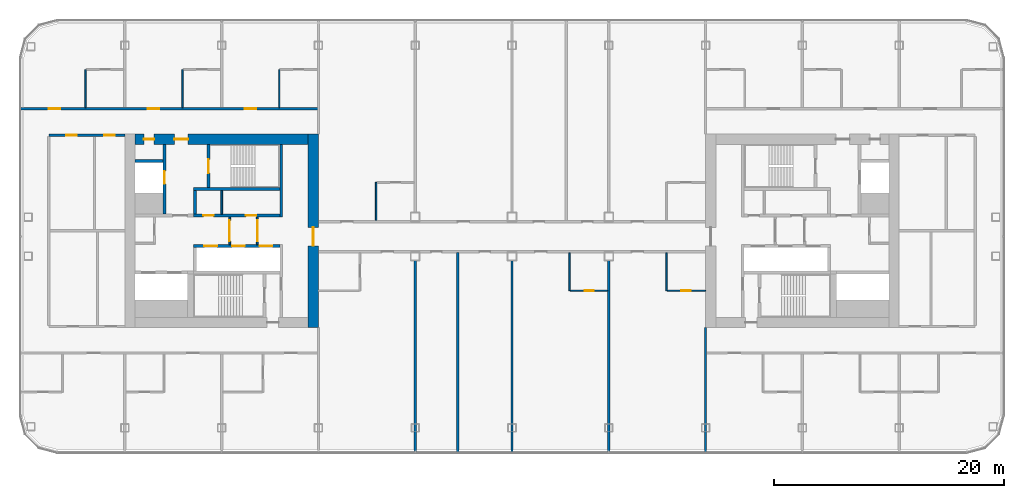
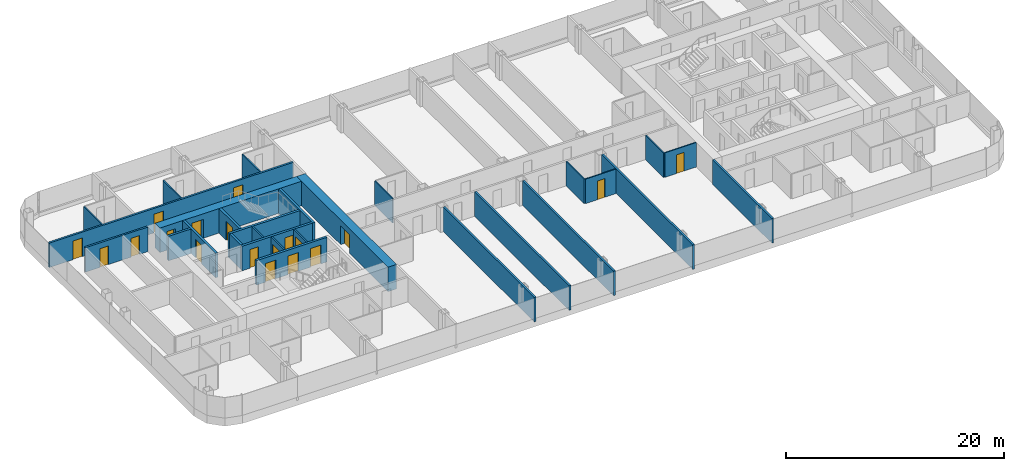
# One storey, part 13 of 25: 28 walls, 19 doors, 19 openings.
"""IFC4 building model written with IfcOpenShell, lengths in metres."""

from ifc_helpers import new_model, si_unit, direction, frame, frame_2d, origin, place, context, subcontext, project, spatial, rectangle, extrude, material, layer, layer_set, type_object, element, fill, save


model = new_model("IFC4")

# Units and contexts
model_context = context("Model", 3, precision=1e-05, world=origin(), true_north=direction((0.0, 1.0)))
body_context = subcontext(model_context, "Body", "Model", "MODEL_VIEW")
ifc_project = project(units=[si_unit("LENGTHUNIT", "METRE"), si_unit("AREAUNIT", "SQUARE_METRE"), si_unit("VOLUMEUNIT", "CUBIC_METRE"), si_unit("PLANEANGLEUNIT", "RADIAN"), si_unit("MASSUNIT", "GRAM", prefix="KILO")], contexts=[model_context])

# Site, building, storey
site_placement = place(None, origin())
site = spatial("IfcSite", under=ifc_project, at=site_placement, CompositionType="ELEMENT")
building_placement = place(site_placement, origin())
building = spatial("IfcBuilding", under=site, at=building_placement, Name="Hakoniwa Tower and Hamabe Station Hall", CompositionType="ELEMENT")
storey_placement = place(building_placement, frame((0.0, 0.0, 147.0)))
storey = spatial("IfcBuildingStorey", under=building, at=storey_placement, Name="L41", CompositionType="ELEMENT", Elevation=147.0)

# Wall, opening, door
ifc_material_1 = material(Name="Gypsum board partition", Category="gypsum")
ifc_layer_1 = layer(ifc_material_1, 0.125)
ifc_layer_set_1 = layer_set([ifc_layer_1], Name="Bathroom Partition 125")
wall_type_1 = type_object("IfcWallType", Name="Bathroom Partition 125", PredefinedType="PARTITIONING", material=ifc_layer_set_1)
wall_1_placement = place(storey_placement, frame((5.0625, -5.199951171875, 0.0), z_axis=(0.0, 0.0, 1.0), x_axis=(1.0, 0.0, 0.0)))
wall_1 = element("IfcWall", 1, at=wall_1_placement, inside=storey, type_object=wall_type_1, Name="GW-L41-011", PredefinedType="PARTITIONING", context=body_context, shape_type="SweptSolid", body=[
    extrude(rectangle(XDim=3.237548828125, YDim=0.125, at=frame_2d((1.61865234375, 0.0))), origin(), (0.0, 0.0, 1.0), 2.75),
])
opening_1_placement = place(wall_1_placement, frame((1.237548828125, 0.0, 0.0)))
opening_1 = element("IfcOpeningElement", 2, at=opening_1_placement, cuts=wall_1, Name="Opening GD-G3A1-16", PredefinedType="OPENING", context=body_context, shape_type="SweptSolid", body=[
    extrude(rectangle(XDim=0.800048828125, YDim=2.10009765625, at=frame_2d((0.39990234375, 1.050048828125))), frame((0.0, 0.072509765625, 0.0), z_axis=(0.0, -1.0, 0.0), x_axis=(1.0, 0.0, 0.0)), (0.0, 0.0, 1.0), 0.14501953125),
])
ifc_material_2 = material(Name="Timber door leaf", Category="wood")
door_type_1 = type_object("IfcDoorType", Name="Bathroom Door 800", OperationType="SINGLE_SWING_LEFT", PredefinedType="DOOR", material=ifc_material_2)
door_1_placement = place(opening_1_placement, origin())
door_1 = element("IfcDoor", 3, at=door_1_placement, inside=storey, type_object=door_type_1, Name="Door GD-G3A1-16", OperationType="SINGLE_SWING_LEFT", OverallHeight=2.10009765625, OverallWidth=0.800048828125, PredefinedType="DOOR", context=body_context, shape_type="SweptSolid", body=[
    extrude(rectangle(XDim=0.800048828125, YDim=2.10009765625, at=frame_2d((0.39990234375, 1.050048828125))), frame((0.0, 0.02490234375, 0.0), z_axis=(0.0, -1.0, 0.0), x_axis=(1.0, 0.0, 0.0)), (0.0, 0.0, 1.0), 0.050048828125),
])
fill(opening_1, door_1)

wall_2_placement = place(storey_placement, frame((13.46240234375, -5.199951171875, 0.0), z_axis=(0.0, 0.0, 1.0), x_axis=(1.0, 0.0, 0.0)))
wall_2 = element("IfcWall", 4, at=wall_2_placement, inside=storey, type_object=wall_type_1, Name="GW-L41-012", PredefinedType="PARTITIONING", context=body_context, shape_type="SweptSolid", body=[
    extrude(rectangle(XDim=3.34765625, YDim=0.125, at=frame_2d((1.673828125, 0.0))), origin(), (0.0, 0.0, 1.0), 2.75),
])
opening_2_placement = place(wall_2_placement, frame((1.237548828125, 0.0, 0.0)))
opening_2 = element("IfcOpeningElement", 5, at=opening_2_placement, cuts=wall_2, Name="Opening GD-G3A1-17", PredefinedType="OPENING", context=body_context, shape_type="SweptSolid", body=[
    extrude(rectangle(XDim=0.800048828125, YDim=2.10009765625, at=frame_2d((0.39990234375, 1.050048828125))), frame((0.0, 0.072509765625, 0.0), z_axis=(0.0, -1.0, 0.0), x_axis=(1.0, 0.0, 0.0)), (0.0, 0.0, 1.0), 0.14501953125),
])
door_2_placement = place(opening_2_placement, origin())
door_2 = element("IfcDoor", 6, at=door_2_placement, inside=storey, type_object=door_type_1, Name="Door GD-G3A1-17", OperationType="SINGLE_SWING_RIGHT", OverallHeight=2.10009765625, OverallWidth=0.800048828125, PredefinedType="DOOR", context=body_context, shape_type="SweptSolid", body=[
    extrude(rectangle(XDim=0.800048828125, YDim=2.10009765625, at=frame_2d((0.39990234375, 1.050048828125))), frame((0.0, 0.02490234375, 0.0), z_axis=(0.0, -1.0, 0.0), x_axis=(1.0, 0.0, 0.0)), (0.0, 0.0, 1.0), 0.050048828125),
])
fill(opening_2, door_2)

# Walls
for number, where, z_axis, x_axis, name in (
    (7, (-37.0, 10.699951171875, 0.0), (0.0, 0.0, 1.0), (0.0, 1.0, 0.0), "GW-L41-031"),
    (8, (-28.60009765625, 10.699951171875, 0.0), (0.0, 0.0, 1.0), (0.0, 1.0, 0.0), "GW-L41-037"),
    (9, (-20.199951171875, 10.699951171875, 0.0), (0.0, 0.0, 1.0), (0.0, 1.0, 0.0), "GW-L41-041"),
    (10, (-11.800048828125, 0.89990234375, 0.0), (0.0, 0.0, 1.0), (0.0, 1.0, 0.0), "GW-L41-045"),
    (11, (5.0, -5.199951171875, 0.0), (0.0, 0.0, 1.0), (0.0, 1.0, 0.0), "GW-L41-052"),
    (12, (13.39990234375, -5.199951171875, 0.0), (0.0, 0.0, 1.0), (0.0, 1.0, 0.0), "GW-L41-055"),
):
    element("IfcWall", number, at=place(storey_placement, frame(where, z_axis=z_axis, x_axis=x_axis)), inside=storey, type_object=wall_type_1, Name=name, PredefinedType="PARTITIONING", context=body_context, shape_type="SweptSolid", body=[
        extrude(rectangle(XDim=3.300048828125, YDim=0.125, at=frame_2d((1.64990234375, 0.0))), origin(), (0.0, 0.0, 1.0), 2.75),
    ])

# Wall, opening, door
ifc_material_3 = material(Name="Gypsum board partition")
ifc_layer_2 = layer(ifc_material_3, 0.14990234375)
ifc_layer_set_2 = layer_set([ifc_layer_2], Name="CORE PARTITION 150 EI 60")
wall_type_2 = type_object("IfcWallType", Name="CORE PARTITION 150 EI 60", PredefinedType="PARTITIONING", material=ifc_layer_set_2)
wall_3_placement = place(storey_placement, frame((-22.10009765625, -1.199951171875, 0.0), z_axis=(0.0, 0.0, 1.0), x_axis=(0.0, 1.0, 0.0)))
wall_3 = element("IfcWall", 13, at=wall_3_placement, inside=storey, type_object=wall_type_2, Name="Core partition PL0 west", PredefinedType="PARTITIONING", context=body_context, shape_type="SweptSolid", body=[
    extrude(rectangle(XDim=2.39990234375, YDim=0.14990234375, at=frame_2d((1.199951171875, 0.0))), origin(), (0.0, 0.0, 1.0), 2.75),
])
opening_3_placement = place(wall_3_placement, frame((0.300048828125, 0.0, 0.0)))
opening_3 = element("IfcOpeningElement", 14, at=opening_3_placement, cuts=wall_3, Name="Opening CD-W-LP0-18", PredefinedType="OPENING", context=body_context, shape_type="SweptSolid", body=[
    extrude(rectangle(XDim=1.800048828125, YDim=2.10009765625, at=frame_2d((0.89990234375, 1.050048828125))), frame((0.0, 0.0849609375, 0.0), z_axis=(0.0, -1.0, 0.0), x_axis=(1.0, 0.0, 0.0)), (0.0, 0.0, 1.0), 0.169921875),
])
ifc_material_4 = material(Name="Steel fire door", Category="steel")
door_type_2 = type_object("IfcDoorType", Name="CORE DOOR 1800 FD60", OperationType="DOUBLE_DOOR_SINGLE_SWING", PredefinedType="DOOR", material=ifc_material_4)
door_3_placement = place(opening_3_placement, origin())
door_3 = element("IfcDoor", 15, at=door_3_placement, inside=storey, type_object=door_type_2, Name="Lift lobby partition door", OperationType="DOUBLE_DOOR_SINGLE_SWING", OverallHeight=2.10009765625, OverallWidth=1.800048828125, PredefinedType="DOOR", context=body_context, shape_type="SweptSolid", body=[
    extrude(rectangle(XDim=1.800048828125, YDim=2.10009765625, at=frame_2d((0.89990234375, 1.050048828125))), frame((0.0, 0.02490234375, 0.0), z_axis=(0.0, -1.0, 0.0), x_axis=(1.0, 0.0, 0.0)), (0.0, 0.0, 1.0), 0.050048828125),
])
fill(opening_3, door_3)

wall_4_placement = place(storey_placement, frame((-24.5, -1.199951171875, 0.0), z_axis=(0.0, 0.0, 1.0), x_axis=(0.0, 1.0, 0.0)))
wall_4 = element("IfcWall", 16, at=wall_4_placement, inside=storey, type_object=wall_type_2, Name="Core partition PL1 west", PredefinedType="PARTITIONING", context=body_context, shape_type="SweptSolid", body=[
    extrude(rectangle(XDim=2.39990234375, YDim=0.14990234375, at=frame_2d((1.199951171875, 0.0))), origin(), (0.0, 0.0, 1.0), 2.75),
])
opening_4_placement = place(wall_4_placement, frame((0.300048828125, 0.0, 0.0)))
opening_4 = element("IfcOpeningElement", 17, at=opening_4_placement, cuts=wall_4, Name="Opening CD-W-LP1-18", PredefinedType="OPENING", context=body_context, shape_type="SweptSolid", body=[
    extrude(rectangle(XDim=1.800048828125, YDim=2.10009765625, at=frame_2d((0.89990234375, 1.050048828125))), frame((0.0, 0.0849609375, 0.0), z_axis=(0.0, -1.0, 0.0), x_axis=(1.0, 0.0, 0.0)), (0.0, 0.0, 1.0), 0.169921875),
])
door_4_placement = place(opening_4_placement, origin())
door_4 = element("IfcDoor", 18, at=door_4_placement, inside=storey, type_object=door_type_2, Name="Lift lobby partition door", OperationType="DOUBLE_DOOR_SINGLE_SWING", OverallHeight=2.10009765625, OverallWidth=1.800048828125, PredefinedType="DOOR", context=body_context, shape_type="SweptSolid", body=[
    extrude(rectangle(XDim=1.800048828125, YDim=2.10009765625, at=frame_2d((0.89990234375, 1.050048828125))), frame((0.0, 0.02490234375, 0.0), z_axis=(0.0, -1.0, 0.0), x_axis=(1.0, 0.0, 0.0)), (0.0, 0.0, 1.0), 0.050048828125),
])
fill(opening_4, door_4)

# Wall
wall_5_placement = place(storey_placement, frame((-25.199951171875, 1.449951171875, 0.0), z_axis=(0.0, 0.0, 1.0), x_axis=(0.0, 1.0, 0.0)))
element("IfcWall", 19, at=wall_5_placement, inside=storey, type_object=wall_type_2, Name="Core partition PFLR0 west", PredefinedType="PARTITIONING", context=body_context, shape_type="SweptSolid", body=[
    extrude(rectangle(XDim=2.050048828125, YDim=0.14990234375, at=frame_2d((1.02490234375, 0.0))), origin(), (0.0, 0.0, 1.0), 2.75),
])

# Wall, opening, door
ifc_material_5 = material(Name="Concrete C66", Category="concrete")
ifc_layer_3 = layer(ifc_material_5, 0.89990234375)
ifc_layer_set_3 = layer_set([ifc_layer_3], Name="CORE WALL 900 C66")
wall_type_3 = type_object("IfcWallType", Name="CORE WALL 900 C66", PredefinedType="SHEAR", material=ifc_layer_set_3)
wall_6_placement = place(storey_placement, frame((-17.25, -8.39990234375, 0.0), z_axis=(0.0, 0.0, 1.0), x_axis=(0.0, 1.0, 0.0)))
wall_6 = element("IfcWall", 20, at=wall_6_placement, inside=storey, type_object=wall_type_3, Name="Core wall INNER west", PredefinedType="SHEAR", context=body_context, shape_type="SweptSolid", body=[
    extrude(rectangle(XDim=16.7998046875, YDim=0.89990234375, at=frame_2d((8.39990234375, 0.0))), origin(), (0.0, 0.0, 1.0), 2.75),
])
opening_5_placement = place(wall_6_placement, frame((7.10009765625, 0.0, 0.0)))
opening_5 = element("IfcOpeningElement", 21, at=opening_5_placement, cuts=wall_6, Name="Opening CD-W-IN1-16", PredefinedType="OPENING", context=body_context, shape_type="SweptSolid", body=[
    extrude(rectangle(XDim=1.60009765625, YDim=2.10009765625, at=frame_2d((0.800048828125, 1.050048828125))), frame((0.0, 0.4599609375, 0.0), z_axis=(0.0, -1.0, 0.0), x_axis=(1.0, 0.0, 0.0)), (0.0, 0.0, 1.0), 0.919921875),
])
ifc_material_6 = material(Name="Steel fire door", Category="steel")
door_type_3 = type_object("IfcDoorType", Name="CORE DOOR 1600 FD60", OperationType="DOUBLE_DOOR_SINGLE_SWING", PredefinedType="DOOR", material=ifc_material_6)
door_5_placement = place(opening_5_placement, origin())
door_5 = element("IfcDoor", 22, at=door_5_placement, inside=storey, type_object=door_type_3, Name="Lift lobby door", OperationType="DOUBLE_DOOR_SINGLE_SWING", OverallHeight=2.10009765625, OverallWidth=1.60009765625, PredefinedType="DOOR", context=body_context, shape_type="SweptSolid", body=[
    extrude(rectangle(XDim=1.60009765625, YDim=2.10009765625, at=frame_2d((0.800048828125, 1.050048828125))), frame((0.0, 0.02490234375, 0.0), z_axis=(0.0, -1.0, 0.0), x_axis=(1.0, 0.0, 0.0)), (0.0, 0.0, 1.0), 0.050048828125),
])
fill(opening_5, door_5)

# Wall, openings, doors
wall_7_placement = place(storey_placement, frame((-32.699951171875, 7.949951171875, 0.0), z_axis=(0.0, 0.0, 1.0), x_axis=(1.0, 0.0, 0.0)))
wall_7 = element("IfcWall", 23, at=wall_7_placement, inside=storey, type_object=wall_type_3, Name="Core wall NORTH west", PredefinedType="SHEAR", context=body_context, shape_type="SweptSolid", body=[
    extrude(rectangle(XDim=15.0, YDim=0.89990234375, at=frame_2d((7.5, 0.0))), origin(), (0.0, 0.0, 1.0), 2.75),
])
opening_6_placement = place(wall_7_placement, frame((3.39990234375, 0.0, 0.0)))
opening_6 = element("IfcOpeningElement", 24, at=opening_6_placement, cuts=wall_7, Name="Opening CD-W-FN1-12", PredefinedType="OPENING", context=body_context, shape_type="SweptSolid", body=[
    extrude(rectangle(XDim=1.199951171875, YDim=2.10009765625, at=frame_2d((0.60009765625, 1.050048828125))), frame((0.0, 0.4599609375, 0.0), z_axis=(0.0, -1.0, 0.0), x_axis=(1.0, 0.0, 0.0)), (0.0, 0.0, 1.0), 0.919921875),
])
opening_7_placement = place(wall_7_placement, frame((0.75, 0.0, 0.0)))
opening_7 = element("IfcOpeningElement", 25, at=opening_7_placement, cuts=wall_7, Name="Opening CD-W-FN2-9", PredefinedType="OPENING", context=body_context, shape_type="SweptSolid", body=[
    extrude(rectangle(XDim=0.89990234375, YDim=2.10009765625, at=frame_2d((0.449951171875, 1.050048828125))), frame((0.0, 0.4599609375, 0.0), z_axis=(0.0, -1.0, 0.0), x_axis=(1.0, 0.0, 0.0)), (0.0, 0.0, 1.0), 0.919921875),
])
ifc_material_7 = material(Name="Steel fire door", Category="steel")
door_type_4 = type_object("IfcDoorType", Name="CORE DOOR 1200 FD60", OperationType="DOUBLE_DOOR_SINGLE_SWING", PredefinedType="DOOR", material=ifc_material_7)
door_6_placement = place(opening_6_placement, origin())
door_6 = element("IfcDoor", 26, at=door_6_placement, inside=storey, type_object=door_type_4, Name="Stair vestibule door to the fire-fighting lobby", OperationType="DOUBLE_DOOR_SINGLE_SWING", OverallHeight=2.10009765625, OverallWidth=1.199951171875, PredefinedType="DOOR", context=body_context, shape_type="SweptSolid", body=[
    extrude(rectangle(XDim=1.199951171875, YDim=2.10009765625, at=frame_2d((0.60009765625, 1.050048828125))), frame((0.0, 0.02490234375, 0.0), z_axis=(0.0, -1.0, 0.0), x_axis=(1.0, 0.0, 0.0)), (0.0, 0.0, 1.0), 0.050048828125),
])
fill(opening_6, door_6)
ifc_material_8 = material(Name="Steel fire door", Category="steel")
door_type_5 = type_object("IfcDoorType", Name="CORE DOOR 900 FD30", OperationType="NOTDEFINED", PredefinedType="DOOR", material=ifc_material_8)
door_7_placement = place(opening_7_placement, origin())
door_7 = element("IfcDoor", 27, at=door_7_placement, inside=storey, type_object=door_type_5, Name="Riser access door", OperationType="SINGLE_SWING_RIGHT", OverallHeight=2.10009765625, OverallWidth=0.89990234375, PredefinedType="DOOR", context=body_context, shape_type="SweptSolid", body=[
    extrude(rectangle(XDim=0.89990234375, YDim=2.10009765625, at=frame_2d((0.449951171875, 1.050048828125))), frame((0.0, 0.02490234375, 0.0), z_axis=(0.0, -1.0, 0.0), x_axis=(1.0, 0.0, 0.0)), (0.0, 0.0, 1.0), 0.050048828125),
])
fill(opening_7, door_7)

# Wall
ifc_material_9 = material(Name="Concrete C66", Category="concrete")
ifc_layer_4 = layer(ifc_material_9, 0.25)
ifc_layer_set_4 = layer_set([ifc_layer_4], Name="CORE WEB WALL 250 C66")
wall_type_4 = type_object("IfcWallType", Name="CORE WEB WALL 250 C66", PredefinedType="SHEAR", material=ifc_layer_set_4)
wall_8_placement = place(storey_placement, frame((-20.02490234375, 1.199951171875, 0.0), z_axis=(0.0, 0.0, 1.0), x_axis=(0.0, 1.0, 0.0)))
element("IfcWall", 28, at=wall_8_placement, inside=storey, type_object=wall_type_4, Name="Core wall W1N west", PredefinedType="SHEAR", context=body_context, shape_type="SweptSolid", body=[
    extrude(rectangle(XDim=6.300048828125, YDim=0.25, at=frame_2d((3.14990234375, 0.0))), origin(), (0.0, 0.0, 1.0), 2.75),
])

# Wall, openings, doors
wall_9_placement = place(storey_placement, frame((-27.64990234375, 1.324951171875, 0.0), z_axis=(0.0, 0.0, 1.0), x_axis=(1.0, 0.0, 0.0)))
wall_9 = element("IfcWall", 29, at=wall_9_placement, inside=storey, type_object=wall_type_4, Name="Core wall NF west", PredefinedType="SHEAR", context=body_context, shape_type="SweptSolid", body=[
    extrude(rectangle(XDim=7.5, YDim=0.25, at=frame_2d((3.75, 0.0))), origin(), (0.0, 0.0, 1.0), 2.75),
])
opening_8_placement = place(wall_9_placement, frame((4.5625, 0.0, 0.0)))
opening_8 = element("IfcOpeningElement", 30, at=opening_8_placement, cuts=wall_9, Name="Opening CD-W-FRLR0-9", PredefinedType="OPENING", context=body_context, shape_type="SweptSolid", body=[
    extrude(rectangle(XDim=0.89990234375, YDim=2.10009765625, at=frame_2d((0.449951171875, 1.050048828125))), frame((0.0, 0.135009765625, 0.0), z_axis=(0.0, -1.0, 0.0), x_axis=(1.0, 0.0, 0.0)), (0.0, 0.0, 1.0), 0.27001953125),
])
opening_9_placement = place(wall_9_placement, frame((0.862548828125, 0.0, 0.0)))
opening_9 = element("IfcOpeningElement", 31, at=opening_9_placement, cuts=wall_9, Name="Opening CD-W-FRLR1-9", PredefinedType="OPENING", context=body_context, shape_type="SweptSolid", body=[
    extrude(rectangle(XDim=0.89990234375, YDim=2.10009765625, at=frame_2d((0.449951171875, 1.050048828125))), frame((0.0, 0.135009765625, 0.0), z_axis=(0.0, -1.0, 0.0), x_axis=(1.0, 0.0, 0.0)), (0.0, 0.0, 1.0), 0.27001953125),
])
door_8_placement = place(opening_8_placement, origin())
door_8 = element("IfcDoor", 32, at=door_8_placement, inside=storey, type_object=door_type_5, Name="Store room door", OperationType="SINGLE_SWING_LEFT", OverallHeight=2.10009765625, OverallWidth=0.89990234375, PredefinedType="DOOR", context=body_context, shape_type="SweptSolid", body=[
    extrude(rectangle(XDim=0.89990234375, YDim=2.10009765625, at=frame_2d((0.449951171875, 1.050048828125))), frame((0.0, 0.02490234375, 0.0), z_axis=(0.0, -1.0, 0.0), x_axis=(1.0, 0.0, 0.0)), (0.0, 0.0, 1.0), 0.050048828125),
])
fill(opening_8, door_8)
door_9_placement = place(opening_9_placement, origin())
door_9 = element("IfcDoor", 33, at=door_9_placement, inside=storey, type_object=door_type_5, Name="Store room door", OperationType="SINGLE_SWING_RIGHT", OverallHeight=2.10009765625, OverallWidth=0.89990234375, PredefinedType="DOOR", context=body_context, shape_type="SweptSolid", body=[
    extrude(rectangle(XDim=0.89990234375, YDim=2.10009765625, at=frame_2d((0.449951171875, 1.050048828125))), frame((0.0, 0.02490234375, 0.0), z_axis=(0.0, -1.0, 0.0), x_axis=(1.0, 0.0, 0.0)), (0.0, 0.0, 1.0), 0.050048828125),
])
fill(opening_9, door_9)

# Walls
wall_10_placement = place(storey_placement, frame((-27.52490234375, 1.449951171875, 0.0), z_axis=(0.0, 0.0, 1.0), x_axis=(0.0, 1.0, 0.0)))
element("IfcWall", 34, at=wall_10_placement, inside=storey, type_object=wall_type_4, Name="Core wall NE west", PredefinedType="SHEAR", context=body_context, shape_type="SweptSolid", body=[
    extrude(rectangle(XDim=2.050048828125, YDim=0.25, at=frame_2d((1.02490234375, 0.0))), origin(), (0.0, 0.0, 1.0), 2.75),
])
wall_11_placement = place(storey_placement, frame((-27.64990234375, 3.625, 0.0), z_axis=(0.0, 0.0, 1.0), x_axis=(1.0, 0.0, 0.0)))
element("IfcWall", 35, at=wall_11_placement, inside=storey, type_object=wall_type_4, Name="Core wall NR west", PredefinedType="SHEAR", context=body_context, shape_type="SweptSolid", body=[
    extrude(rectangle(XDim=7.5, YDim=0.25, at=frame_2d((3.75, 0.0))), origin(), (0.0, 0.0, 1.0), 2.75),
])

# Wall, opening, door
wall_12_placement = place(storey_placement, frame((-26.324951171875, 3.75, 0.0), z_axis=(0.0, 0.0, 1.0), x_axis=(0.0, 1.0, 0.0)))
wall_12 = element("IfcWall", 36, at=wall_12_placement, inside=storey, type_object=wall_type_4, Name="Core wall NSE west", PredefinedType="SHEAR", context=body_context, shape_type="SweptSolid", body=[
    extrude(rectangle(XDim=3.75, YDim=0.25, at=frame_2d((1.875, 0.0))), origin(), (0.0, 0.0, 1.0), 2.75),
])
opening_10_placement = place(wall_12_placement, frame((1.25, 0.0, 0.0)))
opening_10 = element("IfcOpeningElement", 37, at=opening_10_placement, cuts=wall_12, Name="Opening CD-W-SN-12", PredefinedType="OPENING", context=body_context, shape_type="SweptSolid", body=[
    extrude(rectangle(XDim=1.199951171875, YDim=2.10009765625, at=frame_2d((0.60009765625, 1.050048828125))), frame((0.0, 0.135009765625, 0.0), z_axis=(0.0, -1.0, 0.0), x_axis=(1.0, 0.0, 0.0)), (0.0, 0.0, 1.0), 0.27001953125),
])
door_10_placement = place(opening_10_placement, origin())
door_10 = element("IfcDoor", 38, at=door_10_placement, inside=storey, type_object=door_type_4, Name="Escape stair door", OperationType="DOUBLE_DOOR_SINGLE_SWING", OverallHeight=2.10009765625, OverallWidth=1.199951171875, PredefinedType="DOOR", context=body_context, shape_type="SweptSolid", body=[
    extrude(rectangle(XDim=1.199951171875, YDim=2.10009765625, at=frame_2d((0.60009765625, 1.050048828125))), frame((0.0, 0.02490234375, 0.0), z_axis=(0.0, -1.0, 0.0), x_axis=(1.0, 0.0, 0.0)), (0.0, 0.0, 1.0), 0.050048828125),
])
fill(opening_10, door_10)

wall_13_placement = place(storey_placement, frame((-30.175048828125, 1.449951171875, 0.0), z_axis=(0.0, 0.0, 1.0), x_axis=(0.0, 1.0, 0.0)))
wall_13 = element("IfcWall", 39, at=wall_13_placement, inside=storey, type_object=wall_type_4, Name="Core wall FFF west", PredefinedType="SHEAR", context=body_context, shape_type="SweptSolid", body=[
    extrude(rectangle(XDim=6.050048828125, YDim=0.25, at=frame_2d((3.02490234375, 0.0))), origin(), (0.0, 0.0, 1.0), 2.75),
])
opening_11_placement = place(wall_13_placement, frame((2.625, 0.0, 0.0)))
opening_11 = element("IfcOpeningElement", 40, at=opening_11_placement, cuts=wall_13, Name="Opening LD-FF1", PredefinedType="OPENING", context=body_context, shape_type="SweptSolid", body=[
    extrude(rectangle(XDim=1.10009765625, YDim=2.10009765625, at=frame_2d((0.550048828125, 1.050048828125))), frame((0.0, 0.135009765625, 0.0), z_axis=(0.0, -1.0, 0.0), x_axis=(1.0, 0.0, 0.0)), (0.0, 0.0, 1.0), 0.27001953125),
])
ifc_material_10 = material(Name="Stainless steel SUS304", Category="steel")
door_type_6 = type_object("IfcDoorType", Name="LIFT LANDING DOOR 1100 FD60", OperationType="DOUBLE_DOOR_SLIDING", PredefinedType="DOOR", material=ifc_material_10)
door_11_placement = place(opening_11_placement, origin())
door_11 = element("IfcDoor", 41, at=door_11_placement, inside=storey, type_object=door_type_6, Name="Lift landing door FF1 L41", OperationType="DOUBLE_DOOR_SLIDING", OverallHeight=2.10009765625, OverallWidth=1.10009765625, PredefinedType="DOOR", context=body_context, shape_type="SweptSolid", body=[
    extrude(rectangle(XDim=1.10009765625, YDim=2.10009765625, at=frame_2d((0.550048828125, 1.050048828125))), frame((0.0, 0.02490234375, 0.0), z_axis=(0.0, -1.0, 0.0), x_axis=(1.0, 0.0, 0.0)), (0.0, 0.0, 1.0), 0.050048828125),
])
fill(opening_11, door_11)

# Wall
wall_14_placement = place(storey_placement, frame((-32.699951171875, 6.074951171875, 0.0), z_axis=(0.0, 0.0, 1.0), x_axis=(1.0, 0.0, 0.0)))
element("IfcWall", 42, at=wall_14_placement, inside=storey, type_object=wall_type_4, Name="Core wall C2 west", PredefinedType="SHEAR", context=body_context, shape_type="SweptSolid", body=[
    extrude(rectangle(XDim=2.39990234375, YDim=0.25, at=frame_2d((1.199951171875, 0.0))), origin(), (0.0, 0.0, 1.0), 2.75),
])

# Wall, openings, doors
wall_15_placement = place(storey_placement, frame((-27.64990234375, -1.324951171875, 0.0), z_axis=(0.0, 0.0, 1.0), x_axis=(1.0, 0.0, 0.0)))
wall_15 = element("IfcWall", 43, at=wall_15_placement, inside=storey, type_object=wall_type_4, Name="Core wall SF west", PredefinedType="SHEAR", context=body_context, shape_type="SweptSolid", body=[
    extrude(rectangle(XDim=7.5, YDim=0.25, at=frame_2d((3.75, 0.0))), origin(), (0.0, 0.0, 1.0), 2.75),
])
opening_12_placement = place(wall_15_placement, frame((5.75, 0.0, 0.0)))
opening_12 = element("IfcOpeningElement", 44, at=opening_12_placement, cuts=wall_15, Name="Opening LD-HR1", PredefinedType="OPENING", context=body_context, shape_type="SweptSolid", body=[
    extrude(rectangle(XDim=1.10009765625, YDim=2.10009765625, at=frame_2d((0.550048828125, 1.050048828125))), frame((0.0, 0.135009765625, 0.0), z_axis=(0.0, -1.0, 0.0), x_axis=(1.0, 0.0, 0.0)), (0.0, 0.0, 1.0), 0.27001953125),
])
opening_13_placement = place(wall_15_placement, frame((3.35009765625, 0.0, 0.0)))
opening_13 = element("IfcOpeningElement", 45, at=opening_13_placement, cuts=wall_15, Name="Opening LD-HR2", PredefinedType="OPENING", context=body_context, shape_type="SweptSolid", body=[
    extrude(rectangle(XDim=1.10009765625, YDim=2.10009765625, at=frame_2d((0.550048828125, 1.050048828125))), frame((0.0, 0.135009765625, 0.0), z_axis=(0.0, -1.0, 0.0), x_axis=(1.0, 0.0, 0.0)), (0.0, 0.0, 1.0), 0.27001953125),
])
opening_14_placement = place(wall_15_placement, frame((0.949951171875, 0.0, 0.0)))
opening_14 = element("IfcOpeningElement", 46, at=opening_14_placement, cuts=wall_15, Name="Opening LD-HR3", PredefinedType="OPENING", context=body_context, shape_type="SweptSolid", body=[
    extrude(rectangle(XDim=1.10009765625, YDim=2.10009765625, at=frame_2d((0.550048828125, 1.050048828125))), frame((0.0, 0.135009765625, 0.0), z_axis=(0.0, -1.0, 0.0), x_axis=(1.0, 0.0, 0.0)), (0.0, 0.0, 1.0), 0.27001953125),
])
door_12_placement = place(opening_12_placement, origin())
door_12 = element("IfcDoor", 47, at=door_12_placement, inside=storey, type_object=door_type_6, Name="Lift landing door HR1 L41", OperationType="DOUBLE_DOOR_SLIDING", OverallHeight=2.10009765625, OverallWidth=1.10009765625, PredefinedType="DOOR", context=body_context, shape_type="SweptSolid", body=[
    extrude(rectangle(XDim=1.10009765625, YDim=2.10009765625, at=frame_2d((0.550048828125, 1.050048828125))), frame((0.0, 0.02490234375, 0.0), z_axis=(0.0, -1.0, 0.0), x_axis=(1.0, 0.0, 0.0)), (0.0, 0.0, 1.0), 0.050048828125),
])
fill(opening_12, door_12)
door_13_placement = place(opening_13_placement, origin())
door_13 = element("IfcDoor", 48, at=door_13_placement, inside=storey, type_object=door_type_6, Name="Lift landing door HR2 L41", OperationType="DOUBLE_DOOR_SLIDING", OverallHeight=2.10009765625, OverallWidth=1.10009765625, PredefinedType="DOOR", context=body_context, shape_type="SweptSolid", body=[
    extrude(rectangle(XDim=1.10009765625, YDim=2.10009765625, at=frame_2d((0.550048828125, 1.050048828125))), frame((0.0, 0.02490234375, 0.0), z_axis=(0.0, -1.0, 0.0), x_axis=(1.0, 0.0, 0.0)), (0.0, 0.0, 1.0), 0.050048828125),
])
fill(opening_13, door_13)
door_14_placement = place(opening_14_placement, origin())
door_14 = element("IfcDoor", 49, at=door_14_placement, inside=storey, type_object=door_type_6, Name="Lift landing door HR3 L41", OperationType="DOUBLE_DOOR_SLIDING", OverallHeight=2.10009765625, OverallWidth=1.10009765625, PredefinedType="DOOR", context=body_context, shape_type="SweptSolid", body=[
    extrude(rectangle(XDim=1.10009765625, YDim=2.10009765625, at=frame_2d((0.550048828125, 1.050048828125))), frame((0.0, 0.02490234375, 0.0), z_axis=(0.0, -1.0, 0.0), x_axis=(1.0, 0.0, 0.0)), (0.0, 0.0, 1.0), 0.050048828125),
])
fill(opening_14, door_14)

ifc_material_11 = material(Name="Fire-rated gypsum board partition", Category="gypsum")
ifc_layer_5 = layer(ifc_material_11, 0.199951171875)
ifc_layer_set_5 = layer_set([ifc_layer_5], Name="Corridor Wall 200")
wall_type_5 = type_object("IfcWallType", Name="Corridor Wall 200", PredefinedType="PARTITIONING", material=ifc_layer_set_5)
wall_16_placement = place(storey_placement, frame((-40.199951171875, 8.300048828125, 0.0), z_axis=(0.0, 0.0, 1.0), x_axis=(1.0, 0.0, 0.0)))
wall_16 = element("IfcWall", 50, at=wall_16_placement, inside=storey, type_object=wall_type_5, Name="GW-L41-019", PredefinedType="PARTITIONING", context=body_context, shape_type="SweptSolid", body=[
    extrude(rectangle(XDim=6.599853515625, YDim=0.199951171875, at=frame_2d((3.2998046875, 0.0))), origin(), (0.0, 0.0, 1.0), 2.75),
])
opening_15_placement = place(wall_16_placement, frame((1.530029296875, 0.0, 0.0)))
opening_15 = element("IfcOpeningElement", 51, at=opening_15_placement, cuts=wall_16, Name="Opening GD-G3A1-30", PredefinedType="OPENING", context=body_context, shape_type="SweptSolid", body=[
    extrude(rectangle(XDim=0.89990234375, YDim=2.10009765625, at=frame_2d((0.449951171875, 1.050048828125))), frame((0.0, 0.10986328125, 0.0), z_axis=(0.0, -1.0, 0.0), x_axis=(1.0, 0.0, 0.0)), (0.0, 0.0, 1.0), 0.219970703125),
])
opening_16_placement = place(wall_16_placement, frame((4.830078125, 0.0, 0.0)))
opening_16 = element("IfcOpeningElement", 52, at=opening_16_placement, cuts=wall_16, Name="Opening GD-G3A1-31", PredefinedType="OPENING", context=body_context, shape_type="SweptSolid", body=[
    extrude(rectangle(XDim=0.89990234375, YDim=2.10009765625, at=frame_2d((0.449951171875, 1.050048828125))), frame((0.0, 0.10986328125, 0.0), z_axis=(0.0, -1.0, 0.0), x_axis=(1.0, 0.0, 0.0)), (0.0, 0.0, 1.0), 0.219970703125),
])
ifc_material_12 = material(Name="Timber door leaf", Category="wood")
door_type_7 = type_object("IfcDoorType", Name="Service Door 900", OperationType="SINGLE_SWING_LEFT", PredefinedType="DOOR", material=ifc_material_12)
door_15_placement = place(opening_15_placement, origin())
door_15 = element("IfcDoor", 53, at=door_15_placement, inside=storey, type_object=door_type_7, Name="Door GD-G3A1-30", OperationType="SINGLE_SWING_RIGHT", OverallHeight=2.10009765625, OverallWidth=0.89990234375, PredefinedType="DOOR", context=body_context, shape_type="SweptSolid", body=[
    extrude(rectangle(XDim=0.89990234375, YDim=2.10009765625, at=frame_2d((0.449951171875, 1.050048828125))), frame((0.0, 0.02490234375, 0.0), z_axis=(0.0, -1.0, 0.0), x_axis=(1.0, 0.0, 0.0)), (0.0, 0.0, 1.0), 0.050048828125),
])
fill(opening_15, door_15)
door_16_placement = place(opening_16_placement, origin())
door_16 = element("IfcDoor", 54, at=door_16_placement, inside=storey, type_object=door_type_7, Name="Door GD-G3A1-31", OperationType="SINGLE_SWING_LEFT", OverallHeight=2.10009765625, OverallWidth=0.89990234375, PredefinedType="DOOR", context=body_context, shape_type="SweptSolid", body=[
    extrude(rectangle(XDim=0.89990234375, YDim=2.10009765625, at=frame_2d((0.449951171875, 1.050048828125))), frame((0.0, 0.02490234375, 0.0), z_axis=(0.0, -1.0, 0.0), x_axis=(1.0, 0.0, 0.0)), (0.0, 0.0, 1.0), 0.050048828125),
])
fill(opening_16, door_16)

wall_17_placement = place(storey_placement, frame((-42.699951171875, 10.60009765625, 0.0), z_axis=(0.0, 0.0, 1.0), x_axis=(1.0, 0.0, 0.0)))
wall_17 = element("IfcWall", 55, at=wall_17_placement, inside=storey, type_object=wall_type_5, Name="GW-L41-021", PredefinedType="PARTITIONING", context=body_context, shape_type="SweptSolid", body=[
    extrude(rectangle(XDim=25.89990234375, YDim=0.199951171875, at=frame_2d((12.949951171875, 0.0))), origin(), (0.0, 0.0, 1.0), 2.75),
])
opening_17_placement = place(wall_17_placement, frame((2.5, 0.0, 0.0)))
opening_17 = element("IfcOpeningElement", 56, at=opening_17_placement, cuts=wall_17, Name="Opening GD-G3A1-34", PredefinedType="OPENING", context=body_context, shape_type="SweptSolid", body=[
    extrude(rectangle(XDim=1.0, YDim=2.10009765625, at=frame_2d((0.5, 1.050048828125))), frame((0.0, 0.10986328125, 0.0), z_axis=(0.0, -1.0, 0.0), x_axis=(1.0, 0.0, 0.0)), (0.0, 0.0, 1.0), 0.219970703125),
])
opening_18_placement = place(wall_17_placement, frame((11.10009765625, 0.0, 0.0)))
opening_18 = element("IfcOpeningElement", 57, at=opening_18_placement, cuts=wall_17, Name="Opening GD-G3A1-35", PredefinedType="OPENING", context=body_context, shape_type="SweptSolid", body=[
    extrude(rectangle(XDim=1.0, YDim=2.10009765625, at=frame_2d((0.5, 1.050048828125))), frame((0.0, 0.10986328125, 0.0), z_axis=(0.0, -1.0, 0.0), x_axis=(1.0, 0.0, 0.0)), (0.0, 0.0, 1.0), 0.219970703125),
])
opening_19_placement = place(wall_17_placement, frame((19.5, 0.0, 0.0)))
opening_19 = element("IfcOpeningElement", 58, at=opening_19_placement, cuts=wall_17, Name="Opening GD-G3A1-36", PredefinedType="OPENING", context=body_context, shape_type="SweptSolid", body=[
    extrude(rectangle(XDim=1.0, YDim=2.10009765625, at=frame_2d((0.5, 1.050048828125))), frame((0.0, 0.10986328125, 0.0), z_axis=(0.0, -1.0, 0.0), x_axis=(1.0, 0.0, 0.0)), (0.0, 0.0, 1.0), 0.219970703125),
])
ifc_material_13 = material(Name="Timber door leaf", Category="wood")
door_type_8 = type_object("IfcDoorType", Name="Guest Entrance Door 1000", OperationType="SINGLE_SWING_LEFT", PredefinedType="DOOR", material=ifc_material_13)
door_17_placement = place(opening_17_placement, origin())
door_17 = element("IfcDoor", 59, at=door_17_placement, inside=storey, type_object=door_type_8, Name="Door GD-G3A1-34", OperationType="SINGLE_SWING_LEFT", OverallHeight=2.10009765625, OverallWidth=1.0, PredefinedType="DOOR", context=body_context, shape_type="SweptSolid", body=[
    extrude(rectangle(XDim=1.0, YDim=2.10009765625, at=frame_2d((0.5, 1.050048828125))), frame((0.0, 0.02490234375, 0.0), z_axis=(0.0, -1.0, 0.0), x_axis=(1.0, 0.0, 0.0)), (0.0, 0.0, 1.0), 0.050048828125),
])
fill(opening_17, door_17)
door_18_placement = place(opening_18_placement, origin())
door_18 = element("IfcDoor", 60, at=door_18_placement, inside=storey, type_object=door_type_8, Name="Door GD-G3A1-35", OperationType="SINGLE_SWING_RIGHT", OverallHeight=2.10009765625, OverallWidth=1.0, PredefinedType="DOOR", context=body_context, shape_type="SweptSolid", body=[
    extrude(rectangle(XDim=1.0, YDim=2.10009765625, at=frame_2d((0.5, 1.050048828125))), frame((0.0, 0.02490234375, 0.0), z_axis=(0.0, -1.0, 0.0), x_axis=(1.0, 0.0, 0.0)), (0.0, 0.0, 1.0), 0.050048828125),
])
fill(opening_18, door_18)
door_19_placement = place(opening_19_placement, origin())
door_19 = element("IfcDoor", 61, at=door_19_placement, inside=storey, type_object=door_type_8, Name="Door GD-G3A1-36", OperationType="SINGLE_SWING_LEFT", OverallHeight=2.10009765625, OverallWidth=1.0, PredefinedType="DOOR", context=body_context, shape_type="SweptSolid", body=[
    extrude(rectangle(XDim=1.0, YDim=2.10009765625, at=frame_2d((0.5, 1.050048828125))), frame((0.0, 0.02490234375, 0.0), z_axis=(0.0, -1.0, 0.0), x_axis=(1.0, 0.0, 0.0)), (0.0, 0.0, 1.0), 0.050048828125),
])
fill(opening_19, door_19)

# Walls
ifc_material_14 = material(Name="Fire-rated gypsum board partition", Category="gypsum")
ifc_layer_6 = layer(ifc_material_14, 0.199951171875)
ifc_layer_set_6 = layer_set([ifc_layer_6], Name="Party Wall 200")
wall_type_6 = type_object("IfcWallType", Name="Party Wall 200", PredefinedType="PARTITIONING", material=ifc_layer_set_6)
wall_18_placement = place(storey_placement, frame((-8.39990234375, -19.300048828125, 0.0), z_axis=(0.0, 0.0, 1.0), x_axis=(0.0, 1.0, 0.0)))
element("IfcWall", 62, at=wall_18_placement, inside=storey, type_object=wall_type_6, Name="GW-L41-046", PredefinedType="PARTITIONING", context=body_context, shape_type="SweptSolid", body=[
    extrude(rectangle(XDim=16.7099609375, YDim=0.199951171875, at=frame_2d((8.35498046875, 0.0))), origin(), (0.0, 0.0, 1.0), 2.75),
])
wall_19_placement = place(storey_placement, frame((-4.699951171875, -19.300048828125, 0.0), z_axis=(0.0, 0.0, 1.0), x_axis=(0.0, 1.0, 0.0)))
element("IfcWall", 63, at=wall_19_placement, inside=storey, type_object=wall_type_6, Name="GW-L41-048", PredefinedType="PARTITIONING", context=body_context, shape_type="SweptSolid", body=[
    extrude(rectangle(XDim=17.400146484375, YDim=0.199951171875, at=frame_2d((8.7001953125, 0.0))), origin(), (0.0, 0.0, 1.0), 2.75),
])
for number, where, z_axis, x_axis, name in (
    (64, (0.0, -19.300048828125, 0.0), (0.0, 0.0, 1.0), (0.0, 1.0, 0.0), "GW-L41-049"),
    (65, (8.39990234375, -19.300048828125, 0.0), (0.0, 0.0, 1.0), (0.0, 1.0, 0.0), "GW-L41-053"),
):
    element("IfcWall", number, at=place(storey_placement, frame(where, z_axis=z_axis, x_axis=x_axis)), inside=storey, type_object=wall_type_6, Name=name, PredefinedType="PARTITIONING", context=body_context, shape_type="SweptSolid", body=[
        extrude(rectangle(XDim=16.7099609375, YDim=0.199951171875, at=frame_2d((8.35498046875, 0.0))), origin(), (0.0, 0.0, 1.0), 2.75),
    ])
wall_20_placement = place(storey_placement, frame((16.800048828125, -19.300048828125, 0.0), z_axis=(0.0, 0.0, 1.0), x_axis=(0.0, 1.0, 0.0)))
element("IfcWall", 66, at=wall_20_placement, inside=storey, type_object=wall_type_6, Name="GW-L41-057", PredefinedType="PARTITIONING", context=body_context, shape_type="SweptSolid", body=[
    extrude(rectangle(XDim=10.91015625, YDim=0.199951171875, at=frame_2d((5.455078125, 0.0))), origin(), (0.0, 0.0, 1.0), 2.75),
])

save(model, "model.ifc")
